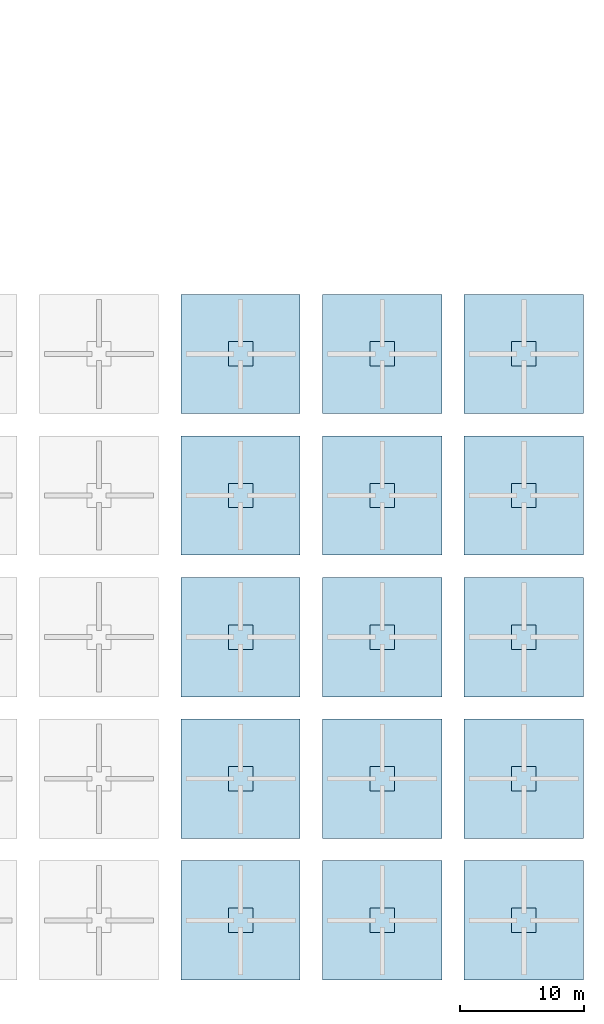
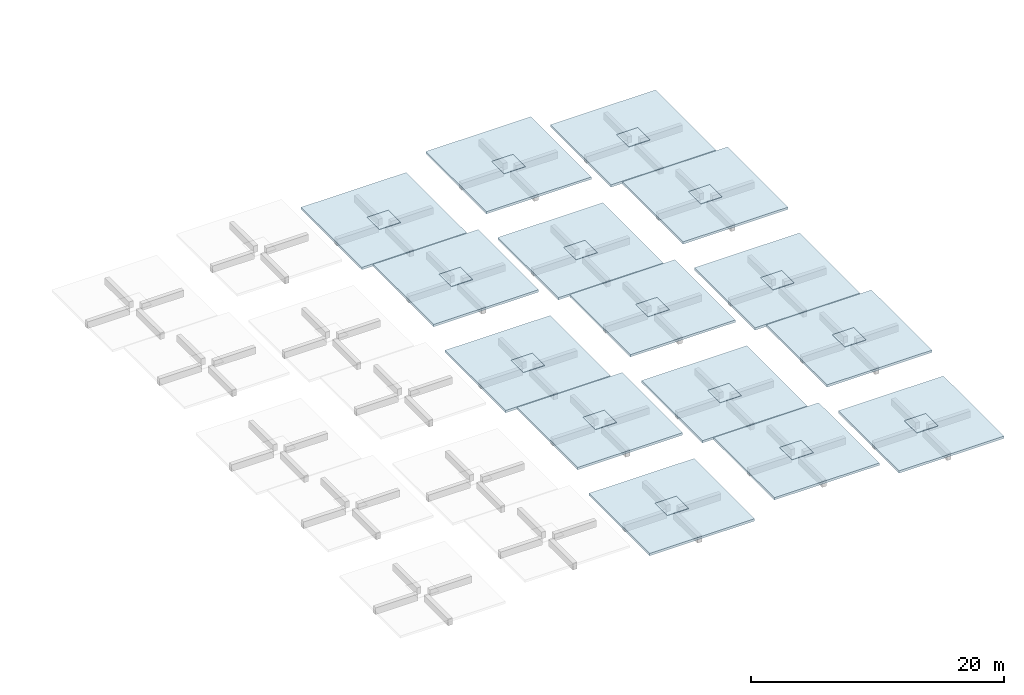
# One storey, part 22 of 30: 15 plates, 15 slabs.
"""IFC4 building model written with IfcOpenShell, lengths in metres."""

from ifc_helpers import new_model, si_unit, direction, frame, origin, origin_2d, place, context, subcontext, project, spatial, polyline, rectangle, outline, extrude, material, layer, layer_set, type_object, element, save


model = new_model("IFC4")

# Units and contexts
model_context = context("Model", 3, precision=1e-05, world=origin(), true_north=direction((0.0, 1.0)))
body_context = subcontext(model_context, "Body", "Model", "MODEL_VIEW")
ifc_project = project(units=[si_unit("LENGTHUNIT", "METRE"), si_unit("AREAUNIT", "SQUARE_METRE"), si_unit("VOLUMEUNIT", "CUBIC_METRE"), si_unit("PLANEANGLEUNIT", "RADIAN"), si_unit("MASSUNIT", "GRAM", prefix="KILO")], contexts=[model_context])

# Site, building, storey
site_placement = place(None, origin())
site = spatial("IfcSite", under=ifc_project, at=site_placement, CompositionType="ELEMENT")
building_placement = place(site_placement, origin())
building = spatial("IfcBuilding", under=site, at=building_placement, Name="Xazarin Passage Department Store", CompositionType="ELEMENT")
storey_placement = place(building_placement, frame((0.0, 0.0, 23.39990234375)))
storey = spatial("IfcBuildingStorey", under=building, at=storey_placement, Name="L05", CompositionType="ELEMENT", Elevation=23.39990234375)

# Plates
ifc_material_1 = material(Name="Low-E laminated safety glass", Category="glass")
ifc_layer_1 = layer(ifc_material_1, 0.028076171875)
ifc_layer_set_1 = layer_set([ifc_layer_1], Name="Low-E laminated safety glass")
plate_type = type_object("IfcPlateType", Name="ARC-PLT-VGLZ28", PredefinedType="SHEET", material=ifc_layer_set_1)
for number, where, z_axis, x_axis, name in (
    (1, (132.39990234375, 8.800048828125, 2.378173828125), (0.0, 0.0, 1.0), (1.0, 0.0, 0.0), "Umbrella UM7 Central Oculus Skylight"),
    (2, (143.800048828125, 8.800048828125, 3.778076171875), (0.0, 0.0, 1.0), (1.0, 0.0, 0.0), "Umbrella UM8 Central Oculus Skylight"),
    (3, (155.199951171875, 8.800048828125, 2.378173828125), (0.0, 0.0, 1.0), (1.0, 0.0, 0.0), "Umbrella UM9 Central Oculus Skylight"),
    (4, (132.39990234375, 20.199951171875, 3.778076171875), (0.0, 0.0, 1.0), (1.0, 0.0, 0.0), "Umbrella UM12 Central Oculus Skylight"),
    (5, (143.800048828125, 20.199951171875, 2.378173828125), (0.0, 0.0, 1.0), (1.0, 0.0, 0.0), "Umbrella UM13 Central Oculus Skylight"),
    (6, (155.199951171875, 20.199951171875, 3.778076171875), (0.0, 0.0, 1.0), (1.0, 0.0, 0.0), "Umbrella UM14 Central Oculus Skylight"),
    (7, (132.39990234375, 31.60009765625, 2.378173828125), (0.0, 0.0, 1.0), (1.0, 0.0, 0.0), "Umbrella UM17 Central Oculus Skylight"),
    (8, (143.800048828125, 31.60009765625, 3.778076171875), (0.0, 0.0, 1.0), (1.0, 0.0, 0.0), "Umbrella UM18 Central Oculus Skylight"),
    (9, (155.199951171875, 31.60009765625, 2.378173828125), (0.0, 0.0, 1.0), (1.0, 0.0, 0.0), "Umbrella UM19 Central Oculus Skylight"),
    (10, (132.39990234375, 43.0, 3.778076171875), (0.0, 0.0, 1.0), (1.0, 0.0, 0.0), "Umbrella UM22 Central Oculus Skylight"),
    (11, (143.800048828125, 43.0, 2.378173828125), (0.0, 0.0, 1.0), (1.0, 0.0, 0.0), "Umbrella UM23 Central Oculus Skylight"),
    (12, (155.199951171875, 43.0, 3.778076171875), (0.0, 0.0, 1.0), (1.0, 0.0, 0.0), "Umbrella UM24 Central Oculus Skylight"),
    (13, (132.39990234375, 54.39990234375, 2.378173828125), (0.0, 0.0, 1.0), (1.0, 0.0, 0.0), "Umbrella UM27 Central Oculus Skylight"),
    (14, (143.800048828125, 54.39990234375, 3.778076171875), (0.0, 0.0, 1.0), (1.0, 0.0, 0.0), "Umbrella UM28 Central Oculus Skylight"),
    (15, (155.199951171875, 54.39990234375, 2.378173828125), (0.0, 0.0, 1.0), (1.0, 0.0, 0.0), "Umbrella UM29 Central Oculus Skylight"),
):
    element("IfcPlate", number, at=place(storey_placement, frame(where, z_axis=z_axis, x_axis=x_axis)), inside=storey, type_object=plate_type, Name=name, PredefinedType="SHEET", context=body_context, shape_type="SweptSolid", body=[
        extrude(rectangle(XDim=1.9599609375, YDim=1.9599609375, at=origin_2d()), origin(), (0.0, 0.0, 1.0), 0.0439453125),
    ])

# Slabs
ifc_material_2 = material(Name="Concrete C40/50", Category="concrete")
ifc_layer_2 = layer(ifc_material_2, 0.219970703125)
ifc_layer_set_2 = layer_set([ifc_layer_2], Name="Concrete C40/50")
slab_type = type_object("IfcSlabType", Name="STR-SLB-UMB220", PredefinedType="ROOF", material=ifc_layer_set_2)
slab_1_placement = place(storey_placement, frame((0.0, 0.0, 2.18017578125)))
element("IfcSlab", 16, at=slab_1_placement, inside=storey, type_object=slab_type, Name="Trading Court Umbrella Canopy UM7", PredefinedType="ROOF", context=body_context, shape_type="SweptSolid", body=[
    extrude(outline(polyline([(127.60009765625, 4.0), (137.199951171875, 4.0), (137.199951171875, 13.60009765625), (127.60009765625, 13.60009765625), (127.60009765625, 4.0)]), holes=[polyline([(131.550048828125, 9.64990234375), (133.25, 9.64990234375), (133.25, 7.949951171875), (131.550048828125, 7.949951171875), (131.550048828125, 9.64990234375)])]), origin(), (0.0, 0.0, 1.0), 0.219970703125),
])
slab_2_placement = place(storey_placement, frame((0.0, 0.0, 3.580078125)))
element("IfcSlab", 17, at=slab_2_placement, inside=storey, type_object=slab_type, Name="Trading Court Umbrella Canopy UM8", PredefinedType="ROOF", context=body_context, shape_type="SweptSolid", body=[
    extrude(outline(polyline([(139.0, 4.0), (148.60009765625, 4.0), (148.60009765625, 13.60009765625), (139.0, 13.60009765625), (139.0, 4.0)]), holes=[polyline([(142.949951171875, 9.64990234375), (144.64990234375, 9.64990234375), (144.64990234375, 7.949951171875), (142.949951171875, 7.949951171875), (142.949951171875, 9.64990234375)])]), origin(), (0.0, 0.0, 1.0), 0.219970703125),
])
slab_3_placement = place(storey_placement, frame((0.0, 0.0, 2.18017578125)))
element("IfcSlab", 18, at=slab_3_placement, inside=storey, type_object=slab_type, Name="Trading Court Umbrella Canopy UM9", PredefinedType="ROOF", context=body_context, shape_type="SweptSolid", body=[
    extrude(outline(polyline([(150.39990234375, 4.0), (160.0, 4.0), (160.0, 13.60009765625), (150.39990234375, 13.60009765625), (150.39990234375, 4.0)]), holes=[polyline([(154.35009765625, 9.64990234375), (156.050048828125, 9.64990234375), (156.050048828125, 7.949951171875), (154.35009765625, 7.949951171875), (154.35009765625, 9.64990234375)])]), origin(), (0.0, 0.0, 1.0), 0.219970703125),
])
slab_4_placement = place(storey_placement, frame((0.0, 0.0, 3.580078125)))
element("IfcSlab", 19, at=slab_4_placement, inside=storey, type_object=slab_type, Name="Trading Court Umbrella Canopy UM12", PredefinedType="ROOF", context=body_context, shape_type="SweptSolid", body=[
    extrude(outline(polyline([(127.60009765625, 15.39990234375), (137.199951171875, 15.39990234375), (137.199951171875, 25.0), (127.60009765625, 25.0), (127.60009765625, 15.39990234375)]), holes=[polyline([(131.550048828125, 21.050048828125), (133.25, 21.050048828125), (133.25, 19.35009765625), (131.550048828125, 19.35009765625), (131.550048828125, 21.050048828125)])]), origin(), (0.0, 0.0, 1.0), 0.219970703125),
])
slab_5_placement = place(storey_placement, frame((0.0, 0.0, 2.18017578125)))
element("IfcSlab", 20, at=slab_5_placement, inside=storey, type_object=slab_type, Name="Trading Court Umbrella Canopy UM13", PredefinedType="ROOF", context=body_context, shape_type="SweptSolid", body=[
    extrude(outline(polyline([(139.0, 15.39990234375), (148.60009765625, 15.39990234375), (148.60009765625, 25.0), (139.0, 25.0), (139.0, 15.39990234375)]), holes=[polyline([(142.949951171875, 21.050048828125), (144.64990234375, 21.050048828125), (144.64990234375, 19.35009765625), (142.949951171875, 19.35009765625), (142.949951171875, 21.050048828125)])]), origin(), (0.0, 0.0, 1.0), 0.219970703125),
])
slab_6_placement = place(storey_placement, frame((0.0, 0.0, 3.580078125)))
element("IfcSlab", 21, at=slab_6_placement, inside=storey, type_object=slab_type, Name="Trading Court Umbrella Canopy UM14", PredefinedType="ROOF", context=body_context, shape_type="SweptSolid", body=[
    extrude(outline(polyline([(150.39990234375, 15.39990234375), (160.0, 15.39990234375), (160.0, 25.0), (150.39990234375, 25.0), (150.39990234375, 15.39990234375)]), holes=[polyline([(154.35009765625, 21.050048828125), (156.050048828125, 21.050048828125), (156.050048828125, 19.35009765625), (154.35009765625, 19.35009765625), (154.35009765625, 21.050048828125)])]), origin(), (0.0, 0.0, 1.0), 0.219970703125),
])
slab_7_placement = place(storey_placement, frame((0.0, 0.0, 2.18017578125)))
element("IfcSlab", 22, at=slab_7_placement, inside=storey, type_object=slab_type, Name="Trading Court Umbrella Canopy UM17", PredefinedType="ROOF", context=body_context, shape_type="SweptSolid", body=[
    extrude(outline(polyline([(127.60009765625, 26.800048828125), (137.199951171875, 26.800048828125), (137.199951171875, 36.39990234375), (127.60009765625, 36.39990234375), (127.60009765625, 26.800048828125)]), holes=[polyline([(131.550048828125, 32.449951171875), (133.25, 32.449951171875), (133.25, 30.75), (131.550048828125, 30.75), (131.550048828125, 32.449951171875)])]), origin(), (0.0, 0.0, 1.0), 0.219970703125),
])
slab_8_placement = place(storey_placement, frame((0.0, 0.0, 3.580078125)))
element("IfcSlab", 23, at=slab_8_placement, inside=storey, type_object=slab_type, Name="Trading Court Umbrella Canopy UM18", PredefinedType="ROOF", context=body_context, shape_type="SweptSolid", body=[
    extrude(outline(polyline([(139.0, 26.800048828125), (148.60009765625, 26.800048828125), (148.60009765625, 36.39990234375), (139.0, 36.39990234375), (139.0, 26.800048828125)]), holes=[polyline([(142.949951171875, 32.449951171875), (144.64990234375, 32.449951171875), (144.64990234375, 30.75), (142.949951171875, 30.75), (142.949951171875, 32.449951171875)])]), origin(), (0.0, 0.0, 1.0), 0.219970703125),
])
slab_9_placement = place(storey_placement, frame((0.0, 0.0, 2.18017578125)))
element("IfcSlab", 24, at=slab_9_placement, inside=storey, type_object=slab_type, Name="Trading Court Umbrella Canopy UM19", PredefinedType="ROOF", context=body_context, shape_type="SweptSolid", body=[
    extrude(outline(polyline([(150.39990234375, 26.800048828125), (160.0, 26.800048828125), (160.0, 36.39990234375), (150.39990234375, 36.39990234375), (150.39990234375, 26.800048828125)]), holes=[polyline([(154.35009765625, 32.449951171875), (156.050048828125, 32.449951171875), (156.050048828125, 30.75), (154.35009765625, 30.75), (154.35009765625, 32.449951171875)])]), origin(), (0.0, 0.0, 1.0), 0.219970703125),
])
slab_10_placement = place(storey_placement, frame((0.0, 0.0, 3.580078125)))
element("IfcSlab", 25, at=slab_10_placement, inside=storey, type_object=slab_type, Name="Trading Court Umbrella Canopy UM22", PredefinedType="ROOF", context=body_context, shape_type="SweptSolid", body=[
    extrude(outline(polyline([(127.60009765625, 38.199951171875), (137.199951171875, 38.199951171875), (137.199951171875, 47.800048828125), (127.60009765625, 47.800048828125), (127.60009765625, 38.199951171875)]), holes=[polyline([(131.550048828125, 43.85009765625), (133.25, 43.85009765625), (133.25, 42.14990234375), (131.550048828125, 42.14990234375), (131.550048828125, 43.85009765625)])]), origin(), (0.0, 0.0, 1.0), 0.219970703125),
])
slab_11_placement = place(storey_placement, frame((0.0, 0.0, 2.18017578125)))
element("IfcSlab", 26, at=slab_11_placement, inside=storey, type_object=slab_type, Name="Trading Court Umbrella Canopy UM23", PredefinedType="ROOF", context=body_context, shape_type="SweptSolid", body=[
    extrude(outline(polyline([(139.0, 38.199951171875), (148.60009765625, 38.199951171875), (148.60009765625, 47.800048828125), (139.0, 47.800048828125), (139.0, 38.199951171875)]), holes=[polyline([(142.949951171875, 43.85009765625), (144.64990234375, 43.85009765625), (144.64990234375, 42.14990234375), (142.949951171875, 42.14990234375), (142.949951171875, 43.85009765625)])]), origin(), (0.0, 0.0, 1.0), 0.219970703125),
])
slab_12_placement = place(storey_placement, frame((0.0, 0.0, 3.580078125)))
element("IfcSlab", 27, at=slab_12_placement, inside=storey, type_object=slab_type, Name="Trading Court Umbrella Canopy UM24", PredefinedType="ROOF", context=body_context, shape_type="SweptSolid", body=[
    extrude(outline(polyline([(150.39990234375, 38.199951171875), (160.0, 38.199951171875), (160.0, 47.800048828125), (150.39990234375, 47.800048828125), (150.39990234375, 38.199951171875)]), holes=[polyline([(154.35009765625, 43.85009765625), (156.050048828125, 43.85009765625), (156.050048828125, 42.14990234375), (154.35009765625, 42.14990234375), (154.35009765625, 43.85009765625)])]), origin(), (0.0, 0.0, 1.0), 0.219970703125),
])
slab_13_placement = place(storey_placement, frame((0.0, 0.0, 2.18017578125)))
element("IfcSlab", 28, at=slab_13_placement, inside=storey, type_object=slab_type, Name="Trading Court Umbrella Canopy UM27", PredefinedType="ROOF", context=body_context, shape_type="SweptSolid", body=[
    extrude(outline(polyline([(127.60009765625, 49.60009765625), (137.199951171875, 49.60009765625), (137.199951171875, 59.199951171875), (127.60009765625, 59.199951171875), (127.60009765625, 49.60009765625)]), holes=[polyline([(131.550048828125, 55.25), (133.25, 55.25), (133.25, 53.550048828125), (131.550048828125, 53.550048828125), (131.550048828125, 55.25)])]), origin(), (0.0, 0.0, 1.0), 0.219970703125),
])
slab_14_placement = place(storey_placement, frame((0.0, 0.0, 3.580078125)))
element("IfcSlab", 29, at=slab_14_placement, inside=storey, type_object=slab_type, Name="Trading Court Umbrella Canopy UM28", PredefinedType="ROOF", context=body_context, shape_type="SweptSolid", body=[
    extrude(outline(polyline([(139.0, 49.60009765625), (148.60009765625, 49.60009765625), (148.60009765625, 59.199951171875), (139.0, 59.199951171875), (139.0, 49.60009765625)]), holes=[polyline([(142.949951171875, 55.25), (144.64990234375, 55.25), (144.64990234375, 53.550048828125), (142.949951171875, 53.550048828125), (142.949951171875, 55.25)])]), origin(), (0.0, 0.0, 1.0), 0.219970703125),
])
slab_15_placement = place(storey_placement, frame((0.0, 0.0, 2.18017578125)))
element("IfcSlab", 30, at=slab_15_placement, inside=storey, type_object=slab_type, Name="Trading Court Umbrella Canopy UM29", PredefinedType="ROOF", context=body_context, shape_type="SweptSolid", body=[
    extrude(outline(polyline([(150.39990234375, 49.60009765625), (160.0, 49.60009765625), (160.0, 59.199951171875), (150.39990234375, 59.199951171875), (150.39990234375, 49.60009765625)]), holes=[polyline([(154.35009765625, 55.25), (156.050048828125, 55.25), (156.050048828125, 53.550048828125), (154.35009765625, 53.550048828125), (154.35009765625, 55.25)])]), origin(), (0.0, 0.0, 1.0), 0.219970703125),
])

save(model, "model.ifc")
